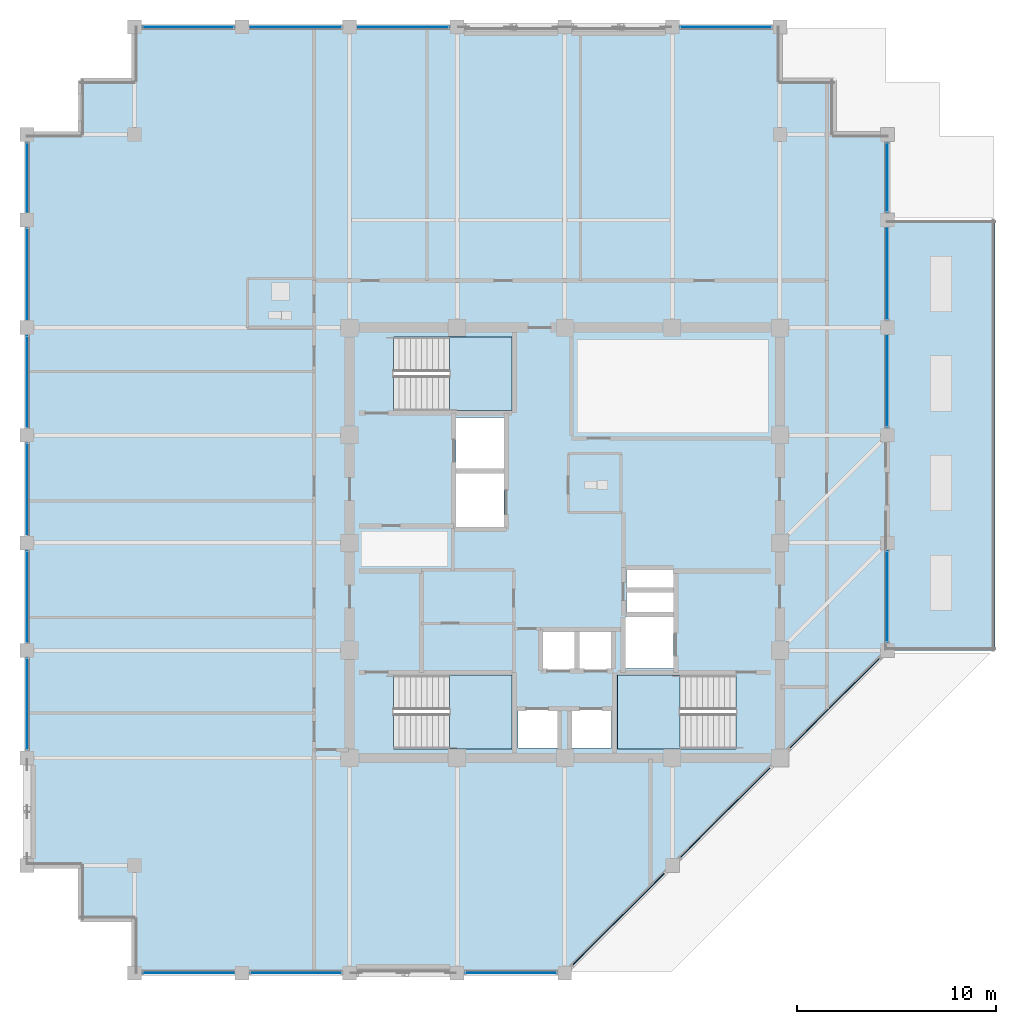
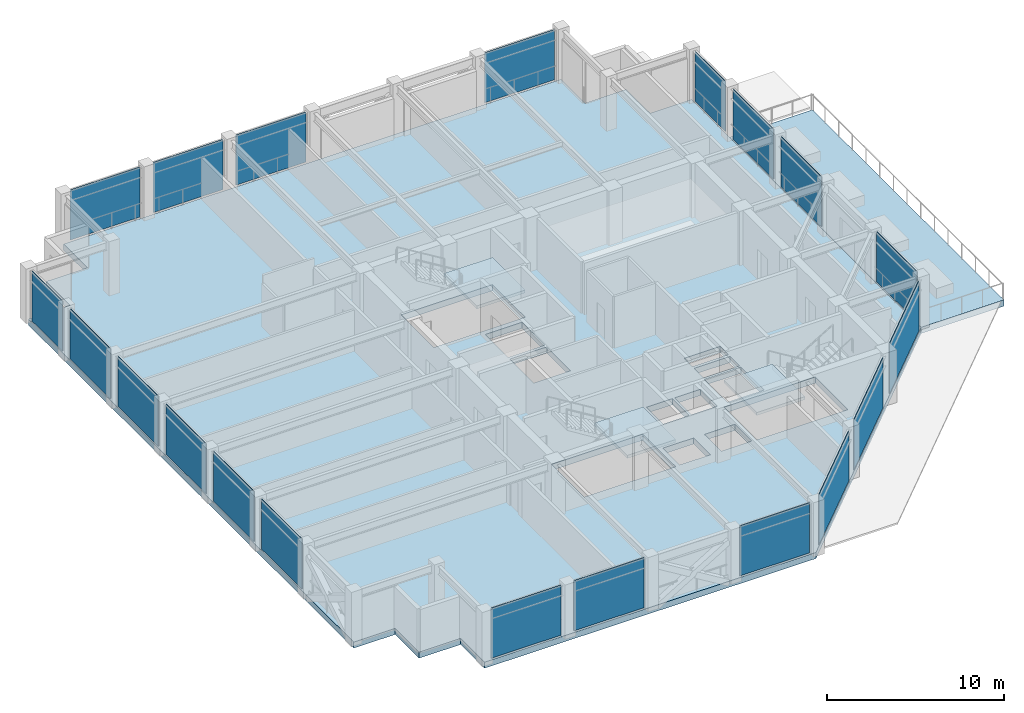
# One storey, part 23 of 34: 20 plates, 5 slabs, 11 elements without a shape of their own.
"""IFC4 building model written with IfcOpenShell, lengths in metres."""

from ifc_helpers import new_model, si_unit, direction, frame, frame_2d, origin, place, context, subcontext, project, spatial, polyline, rectangle, outline, extrude, material, layer, layer_set, type_object, element, aggregate, save


model = new_model("IFC4")

# Units and contexts
model_context = context("Model", 3, precision=1e-05, world=origin(), true_north=direction((0.0, 1.0)))
body_context = subcontext(model_context, "Body", "Model", "MODEL_VIEW")
ifc_project = project(units=[si_unit("LENGTHUNIT", "METRE"), si_unit("AREAUNIT", "SQUARE_METRE"), si_unit("VOLUMEUNIT", "CUBIC_METRE"), si_unit("PLANEANGLEUNIT", "RADIAN"), si_unit("MASSUNIT", "GRAM", prefix="KILO")], contexts=[model_context])

# Site, building, storey
site_placement = place(None, origin())
site = spatial("IfcSite", under=ifc_project, at=site_placement, CompositionType="ELEMENT")
building_placement = place(site_placement, origin())
building = spatial("IfcBuilding", under=site, at=building_placement, Name="Surkhivell Harbour Commons", CompositionType="ELEMENT")
storey_placement = place(building_placement, frame((0.0, 0.0, 258.75)))
storey = spatial("IfcBuildingStorey", under=building, at=storey_placement, Name="L67", CompositionType="ELEMENT", Elevation=258.75)

# Curtain wall, plates
ifc_material_1 = material(Name="Anodised pale-metal aluminium and insulated glazing", Category="aluminium")
ifc_layer_1 = layer(ifc_material_1, 0.175048828125)
ifc_layer_set_1 = layer_set([ifc_layer_1], Name="Anodised pale-metal aluminium and insulated glazing")
curtain_wall_type = type_object("IfcCurtainWallType", Name="CW-SYS-Z4", PredefinedType="NOTDEFINED", material=ifc_layer_set_1)
curtain_wall_1_placement = place(storey_placement, origin())
curtain_wall_1 = element("IfcCurtainWall", 1, at=curtain_wall_1_placement, inside=storey, type_object=curtain_wall_type, Name="L67 Curtain Wall CW-L67-E00S1", PredefinedType="NOTDEFINED")
ifc_material_2 = material(Name="Insulated shadow-box spandrel glazing", Category="glass")
ifc_layer_2 = layer(ifc_material_2, 0.0400390625)
ifc_layer_set_2 = layer_set([ifc_layer_2], Name="Insulated shadow-box spandrel glazing")
plate_type = type_object("IfcPlateType", Name="CWP-SPN-40", PredefinedType="CURTAIN_PANEL", material=ifc_layer_set_2)
plate_1_placement = place(storey_placement, frame((-21.173095703125, -21.60009765625, 0.1298828125), z_axis=(0.0, 0.0, 1.0), x_axis=(1.0, 0.0, 0.0)))
plate_1 = element("IfcPlate", 2, at=plate_1_placement, type_object=plate_type, Name="CW-Z4 panel 1.1", PredefinedType="CURTAIN_PANEL", context=body_context, shape_type="SweptSolid", body=[
    extrude(rectangle(XDim=4.546142578125, YDim=0.0400390625, at=frame_2d((2.27294921875, 0.0))), origin(), (0.0, 0.0, 1.0), 3.440185546875),
])
plate_2_placement = place(storey_placement, frame((-15.77294921875, -21.60009765625, 0.1298828125), z_axis=(0.0, 0.0, 1.0), x_axis=(1.0, 0.0, 0.0)))
plate_2 = element("IfcPlate", 3, at=plate_2_placement, type_object=plate_type, Name="CW-Z4 panel 2.1", PredefinedType="CURTAIN_PANEL", context=body_context, shape_type="SweptSolid", body=[
    extrude(rectangle(XDim=4.5458984375, YDim=0.0400390625, at=frame_2d((2.27294921875, 0.0))), origin(), (0.0, 0.0, 1.0), 3.440185546875),
])
aggregate(curtain_wall_1, [plate_1, plate_2])

# Curtain wall, plate
curtain_wall_2_placement = place(storey_placement, origin())
curtain_wall_2 = element("IfcCurtainWall", 4, at=curtain_wall_2_placement, inside=storey, type_object=curtain_wall_type, Name="L67 Curtain Wall CW-L67-E00S2", PredefinedType="NOTDEFINED")
plate_3_placement = place(storey_placement, frame((-4.972900390625, -21.60009765625, 0.1298828125), z_axis=(0.0, 0.0, 1.0), x_axis=(1.0, 0.0, 0.0)))
plate_3 = element("IfcPlate", 5, at=plate_3_placement, type_object=plate_type, Name="CW-Z4 panel 1.1", PredefinedType="CURTAIN_PANEL", context=body_context, shape_type="SweptSolid", body=[
    extrude(rectangle(XDim=4.5458984375, YDim=0.0400390625, at=frame_2d((2.27294921875, 0.0))), origin(), (0.0, 0.0, 1.0), 3.440185546875),
])
aggregate(curtain_wall_2, [plate_3])

# Curtain wall, plates
curtain_wall_3_placement = place(storey_placement, origin())
curtain_wall_3 = element("IfcCurtainWall", 6, at=curtain_wall_3_placement, inside=storey, type_object=curtain_wall_type, Name="L67 Curtain Wall CW-L67-E01", PredefinedType="NOTDEFINED")
plate_4_placement = place(storey_placement, frame((0.404541015625, -21.1953125, 0.1298828125), z_axis=(0.0, 0.0, 1.0), x_axis=(0.707125583467, 0.707087978406, 0.0)))
plate_4 = element("IfcPlate", 7, at=plate_4_placement, type_object=plate_type, Name="CW-Z4 panel 1.1", PredefinedType="CURTAIN_PANEL", context=body_context, shape_type="SweptSolid", body=[
    extrude(rectangle(XDim=6.4921875, YDim=0.0400390625, at=frame_2d((3.24609375, 0.0))), origin(), (0.0, 0.0, 1.0), 3.440185546875),
])
plate_5_placement = place(storey_placement, frame((5.8046875, -15.79541015625, 0.1298828125), z_axis=(0.0, 0.0, 1.0), x_axis=(0.707106781187, 0.707106781187, 0.0)))
plate_5 = element("IfcPlate", 8, at=plate_5_placement, type_object=plate_type, Name="CW-Z4 panel 2.1", PredefinedType="CURTAIN_PANEL", context=body_context, shape_type="SweptSolid", body=[
    extrude(rectangle(XDim=6.350830078125, YDim=0.0400390625, at=frame_2d((3.17529296875, 0.0))), origin(), (0.0, 0.0, 1.0), 3.440185546875),
])
plate_6_placement = place(storey_placement, frame((11.3046875, -10.29541015625, 0.1298828125), z_axis=(0.0, 0.0, 1.0), x_axis=(0.707106781187, 0.707106781187, 0.0)))
plate_6 = element("IfcPlate", 9, at=plate_6_placement, type_object=plate_type, Name="CW-Z4 panel 3.1", PredefinedType="CURTAIN_PANEL", context=body_context, shape_type="SweptSolid", body=[
    extrude(rectangle(XDim=6.350830078125, YDim=0.0400390625, at=frame_2d((3.17529296875, 0.0))), origin(), (0.0, 0.0, 1.0), 3.440185546875),
])
aggregate(curtain_wall_3, [plate_4, plate_5, plate_6])

# Curtain wall, plate
curtain_wall_4_placement = place(storey_placement, origin())
curtain_wall_4 = element("IfcCurtainWall", 10, at=curtain_wall_4_placement, inside=storey, type_object=curtain_wall_type, Name="L67 Curtain Wall CW-L67-E02A", PredefinedType="NOTDEFINED")
plate_7_placement = place(storey_placement, frame((16.199951171875, -4.972900390625, 0.1298828125), z_axis=(0.0, 0.0, 1.0), x_axis=(0.0, 1.0, 0.0)))
plate_7 = element("IfcPlate", 11, at=plate_7_placement, type_object=plate_type, Name="CW-Z4 panel 1.1", PredefinedType="CURTAIN_PANEL", context=body_context, shape_type="SweptSolid", body=[
    extrude(rectangle(XDim=4.5458984375, YDim=0.0400390625, at=frame_2d((2.27294921875, 0.0))), origin(), (0.0, 0.0, 1.0), 3.440185546875),
])
aggregate(curtain_wall_4, [plate_7])

# Curtain wall, plates
curtain_wall_5_placement = place(storey_placement, origin())
curtain_wall_5 = element("IfcCurtainWall", 12, at=curtain_wall_5_placement, inside=storey, type_object=curtain_wall_type, Name="L67 Curtain Wall CW-L67-E02B", PredefinedType="NOTDEFINED")
plate_8_placement = place(storey_placement, frame((16.199951171875, 5.826904296875, 0.1298828125), z_axis=(0.0, 0.0, 1.0), x_axis=(0.0, 1.0, 0.0)))
plate_8 = element("IfcPlate", 13, at=plate_8_placement, type_object=plate_type, Name="CW-Z4 panel 1.1", PredefinedType="CURTAIN_PANEL", context=body_context, shape_type="SweptSolid", body=[
    extrude(rectangle(XDim=4.546142578125, YDim=0.0400390625, at=frame_2d((2.27294921875, 0.0))), origin(), (0.0, 0.0, 1.0), 3.440185546875),
])
plate_9_placement = place(storey_placement, frame((16.199951171875, 11.22705078125, 0.1298828125), z_axis=(0.0, 0.0, 1.0), x_axis=(0.0, 1.0, 0.0)))
plate_9 = element("IfcPlate", 14, at=plate_9_placement, type_object=plate_type, Name="CW-Z4 panel 2.1", PredefinedType="CURTAIN_PANEL", context=body_context, shape_type="SweptSolid", body=[
    extrude(rectangle(XDim=4.5458984375, YDim=0.0400390625, at=frame_2d((2.27294921875, 0.0))), origin(), (0.0, 0.0, 1.0), 3.440185546875),
])
plate_10_placement = place(storey_placement, frame((16.199951171875, 16.626953125, 0.1298828125), z_axis=(0.0, 0.0, 1.0), x_axis=(0.0, 1.0, 0.0)))
plate_10 = element("IfcPlate", 15, at=plate_10_placement, type_object=plate_type, Name="CW-Z4 panel 3.1", PredefinedType="CURTAIN_PANEL", context=body_context, shape_type="SweptSolid", body=[
    extrude(rectangle(XDim=3.446044921875, YDim=0.0400390625, at=frame_2d((1.72314453125, 0.0))), origin(), (0.0, 0.0, 1.0), 3.440185546875),
])
aggregate(curtain_wall_5, [plate_8, plate_9, plate_10])

# Curtain wall, plate
curtain_wall_6_placement = place(storey_placement, origin())
curtain_wall_6 = element("IfcCurtainWall", 16, at=curtain_wall_6_placement, inside=storey, type_object=curtain_wall_type, Name="L67 Curtain Wall CW-L67-E07S1", PredefinedType="NOTDEFINED")
plate_11_placement = place(storey_placement, frame((10.373046875, 25.89990234375, 0.1298828125), z_axis=(0.0, 0.0, 1.0), x_axis=(-1.0, 0.0, 0.0)))
plate_11 = element("IfcPlate", 17, at=plate_11_placement, type_object=plate_type, Name="CW-Z4 panel 1.1", PredefinedType="CURTAIN_PANEL", context=body_context, shape_type="SweptSolid", body=[
    extrude(rectangle(XDim=4.546142578125, YDim=0.0400390625, at=frame_2d((2.27294921875, 0.0))), origin(), (0.0, 0.0, 1.0), 3.440185546875),
])
aggregate(curtain_wall_6, [plate_11])

# Curtain wall, plates
curtain_wall_7_placement = place(storey_placement, origin())
curtain_wall_7 = element("IfcCurtainWall", 18, at=curtain_wall_7_placement, inside=storey, type_object=curtain_wall_type, Name="L67 Curtain Wall CW-L67-E07S2", PredefinedType="NOTDEFINED")
plate_12_placement = place(storey_placement, frame((-5.826904296875, 25.89990234375, 0.1298828125), z_axis=(0.0, 0.0, 1.0), x_axis=(-1.0, 0.0, 0.0)))
plate_12 = element("IfcPlate", 19, at=plate_12_placement, type_object=plate_type, Name="CW-Z4 panel 1.1", PredefinedType="CURTAIN_PANEL", context=body_context, shape_type="SweptSolid", body=[
    extrude(rectangle(XDim=4.546142578125, YDim=0.0400390625, at=frame_2d((2.27294921875, 0.0))), origin(), (0.0, 0.0, 1.0), 3.440185546875),
])
plate_13_placement = place(storey_placement, frame((-11.22705078125, 25.89990234375, 0.1298828125), z_axis=(0.0, 0.0, 1.0), x_axis=(-1.0, 0.0, 0.0)))
plate_13 = element("IfcPlate", 20, at=plate_13_placement, type_object=plate_type, Name="CW-Z4 panel 2.1", PredefinedType="CURTAIN_PANEL", context=body_context, shape_type="SweptSolid", body=[
    extrude(rectangle(XDim=4.5458984375, YDim=0.0400390625, at=frame_2d((2.27294921875, 0.0))), origin(), (0.0, 0.0, 1.0), 3.440185546875),
])
plate_14_placement = place(storey_placement, frame((-16.626953125, 25.89990234375, 0.1298828125), z_axis=(0.0, 0.0, 1.0), x_axis=(-1.0, 0.0, 0.0)))
plate_14 = element("IfcPlate", 21, at=plate_14_placement, type_object=plate_type, Name="CW-Z4 panel 3.1", PredefinedType="CURTAIN_PANEL", context=body_context, shape_type="SweptSolid", body=[
    extrude(rectangle(XDim=4.546142578125, YDim=0.0400390625, at=frame_2d((2.27294921875, 0.0))), origin(), (0.0, 0.0, 1.0), 3.440185546875),
])
aggregate(curtain_wall_7, [plate_12, plate_13, plate_14])

curtain_wall_8_placement = place(storey_placement, origin())
curtain_wall_8 = element("IfcCurtainWall", 22, at=curtain_wall_8_placement, inside=storey, type_object=curtain_wall_type, Name="L67 Curtain Wall CW-L67-E12S1", PredefinedType="NOTDEFINED")
plate_15_placement = place(storey_placement, frame((-27.0, 20.072998046875, 0.1298828125), z_axis=(0.0, 0.0, 1.0), x_axis=(0.0, -1.0, 0.0)))
plate_15 = element("IfcPlate", 23, at=plate_15_placement, type_object=plate_type, Name="CW-Z4 panel 1.1", PredefinedType="CURTAIN_PANEL", context=body_context, shape_type="SweptSolid", body=[
    extrude(rectangle(XDim=3.446044921875, YDim=0.0400390625, at=frame_2d((1.72314453125, 0.0))), origin(), (0.0, 0.0, 1.0), 3.440185546875),
])
plate_16_placement = place(storey_placement, frame((-27.0, 15.77294921875, 0.1298828125), z_axis=(0.0, 0.0, 1.0), x_axis=(0.0, -1.0, 0.0)))
plate_16 = element("IfcPlate", 24, at=plate_16_placement, type_object=plate_type, Name="CW-Z4 panel 2.1", PredefinedType="CURTAIN_PANEL", context=body_context, shape_type="SweptSolid", body=[
    extrude(rectangle(XDim=4.5458984375, YDim=0.0400390625, at=frame_2d((2.27294921875, 0.0))), origin(), (0.0, 0.0, 1.0), 3.440185546875),
])
plate_17_placement = place(storey_placement, frame((-27.0, 10.373046875, 0.1298828125), z_axis=(0.0, 0.0, 1.0), x_axis=(0.0, -1.0, 0.0)))
plate_17 = element("IfcPlate", 25, at=plate_17_placement, type_object=plate_type, Name="CW-Z4 panel 3.1", PredefinedType="CURTAIN_PANEL", context=body_context, shape_type="SweptSolid", body=[
    extrude(rectangle(XDim=4.546142578125, YDim=0.0400390625, at=frame_2d((2.27294921875, 0.0))), origin(), (0.0, 0.0, 1.0), 3.440185546875),
])
plate_18_placement = place(storey_placement, frame((-27.0, 4.972900390625, 0.1298828125), z_axis=(0.0, 0.0, 1.0), x_axis=(0.0, -1.0, 0.0)))
plate_18 = element("IfcPlate", 26, at=plate_18_placement, type_object=plate_type, Name="CW-Z4 panel 4.1", PredefinedType="CURTAIN_PANEL", context=body_context, shape_type="SweptSolid", body=[
    extrude(rectangle(XDim=4.5458984375, YDim=0.0400390625, at=frame_2d((2.27294921875, 0.0))), origin(), (0.0, 0.0, 1.0), 3.440185546875),
])
plate_19_placement = place(storey_placement, frame((-27.0, -0.427001953125, 0.1298828125), z_axis=(0.0, 0.0, 1.0), x_axis=(0.0, -1.0, 0.0)))
plate_19 = element("IfcPlate", 27, at=plate_19_placement, type_object=plate_type, Name="CW-Z4 panel 5.1", PredefinedType="CURTAIN_PANEL", context=body_context, shape_type="SweptSolid", body=[
    extrude(rectangle(XDim=4.5458984375, YDim=0.0400390625, at=frame_2d((2.27294921875, 0.0))), origin(), (0.0, 0.0, 1.0), 3.440185546875),
])
plate_20_placement = place(storey_placement, frame((-27.0, -5.826904296875, 0.1298828125), z_axis=(0.0, 0.0, 1.0), x_axis=(0.0, -1.0, 0.0)))
plate_20 = element("IfcPlate", 28, at=plate_20_placement, type_object=plate_type, Name="CW-Z4 panel 6.1", PredefinedType="CURTAIN_PANEL", context=body_context, shape_type="SweptSolid", body=[
    extrude(rectangle(XDim=4.546142578125, YDim=0.0400390625, at=frame_2d((2.27294921875, 0.0))), origin(), (0.0, 0.0, 1.0), 3.440185546875),
])
aggregate(curtain_wall_8, [plate_15, plate_16, plate_17, plate_18, plate_19, plate_20])

# Stair, slab
ifc_material_3 = material(Name="Precast concrete C45/55", Category="concrete")
stair_type = type_object("IfcStairType", Name="STR-DL-375", PredefinedType="HALF_TURN_STAIR", material=ifc_material_3)
stair_1_placement = place(storey_placement, origin())
stair_1 = element("IfcStair", 29, at=stair_1_placement, inside=storey, type_object=stair_type, Name="L67 Core Exit Stair ST1", PredefinedType="HALF_TURN_STAIR")
ifc_material_4 = material(Name="Reinforced concrete C45/55", Category="concrete")
ifc_layer_3 = layer(ifc_material_4, 0.199951171875)
ifc_layer_set_3 = layer_set([ifc_layer_3], Name="Reinforced concrete C45/55")
slab_type_1 = type_object("IfcSlabType", Name="SLB-ST-LND200", PredefinedType="LANDING", material=ifc_layer_set_3)
slab_1_placement = place(storey_placement, frame((0.0, 0.0, 1.675048828125)))
slab_1 = element("IfcSlab", 30, at=slab_1_placement, type_object=slab_type_1, Name="ST1 landing 1", PredefinedType="LANDING", context=body_context, shape_type="SweptSolid", body=[
    extrude(outline(polyline([(-5.7900390625, 6.639892578125), (-2.639892578125, 6.639892578125), (-2.639892578125, 10.340087890625), (-5.7900390625, 10.340087890625), (-5.7900390625, 6.639892578125)])), origin(), (0.0, 0.0, 1.0), 0.199951171875),
])
aggregate(stair_1, [slab_1])

stair_2_placement = place(storey_placement, origin())
stair_2 = element("IfcStair", 31, at=stair_2_placement, inside=storey, type_object=stair_type, Name="L67 Core Exit Stair ST2", PredefinedType="HALF_TURN_STAIR")
slab_2_placement = place(storey_placement, frame((0.0, 0.0, 1.675048828125)))
slab_2 = element("IfcSlab", 32, at=slab_2_placement, type_object=slab_type_1, Name="ST2 landing 1", PredefinedType="LANDING", context=body_context, shape_type="SweptSolid", body=[
    extrude(outline(polyline([(5.7900390625, -6.639892578125), (2.639892578125, -6.639892578125), (2.639892578125, -10.340087890625), (5.7900390625, -10.340087890625), (5.7900390625, -6.639892578125)])), origin(), (0.0, 0.0, 1.0), 0.199951171875),
])
aggregate(stair_2, [slab_2])

stair_3_placement = place(storey_placement, origin())
stair_3 = element("IfcStair", 33, at=stair_3_placement, inside=storey, type_object=stair_type, Name="L67 Core Exit Stair ST3", PredefinedType="HALF_TURN_STAIR")
slab_3_placement = place(storey_placement, frame((0.0, 0.0, 1.675048828125)))
slab_3 = element("IfcSlab", 34, at=slab_3_placement, type_object=slab_type_1, Name="ST3 landing 1", PredefinedType="LANDING", context=body_context, shape_type="SweptSolid", body=[
    extrude(outline(polyline([(-5.7900390625, -10.340087890625), (-2.639892578125, -10.340087890625), (-2.639892578125, -6.639892578125), (-5.7900390625, -6.639892578125), (-5.7900390625, -10.340087890625)])), origin(), (0.0, 0.0, 1.0), 0.199951171875),
])
aggregate(stair_3, [slab_3])

# Slabs
ifc_material_5 = material(Name="Concrete C50/60", Category="concrete")
ifc_layer_4 = layer(ifc_material_5, 0.419921875)
ifc_layer_set_4 = layer_set([ifc_layer_4], Name="Concrete C50/60")
slab_type_2 = type_object("IfcSlabType", Name="SLB-TERR-420", PredefinedType="FLOOR", material=ifc_layer_set_4)
slab_4_placement = place(storey_placement, frame((0.0, 0.0, -0.419921875)))
element("IfcSlab", 35, at=slab_4_placement, inside=storey, type_object=slab_type_2, Name="L67 SG-3 Harbour Sky-Garden Terrace", PredefinedType="FLOOR", context=body_context, shape_type="SweptSolid", body=[
    extrude(outline(polyline([(16.199951171875, -5.39990234375), (21.60009765625, -5.39990234375), (21.60009765625, 16.199951171875), (16.199951171875, 16.199951171875), (16.199951171875, -5.39990234375)])), origin(), (0.0, 0.0, 1.0), 0.419921875),
])
ifc_material_6 = material(Name="Concrete C45/55", Category="concrete")
ifc_layer_5 = layer(ifc_material_6, 0.179931640625)
ifc_layer_set_5 = layer_set([ifc_layer_5], Name="Concrete C45/55")
slab_type_3 = type_object("IfcSlabType", Name="SLB-TYP-180", PredefinedType="FLOOR", material=ifc_layer_set_5)
slab_5_placement = place(storey_placement, frame((0.0, 0.0, -0.419921875)))
element("IfcSlab", 36, at=slab_5_placement, inside=storey, type_object=slab_type_3, Name="L67 Structural Floor Slab", PredefinedType="FLOOR", context=body_context, shape_type="SweptSolid", body=[
    extrude(outline(polyline([(-21.60009765625, -21.60009765625), (0.0, -21.60009765625), (16.199951171875, -5.39990234375), (16.199951171875, 20.5), (13.5, 20.5), (13.5, 23.199951171875), (10.800048828125, 23.199951171875), (10.800048828125, 25.89990234375), (-21.60009765625, 25.89990234375), (-21.60009765625, 23.199951171875), (-24.300048828125, 23.199951171875), (-24.300048828125, 20.5), (-27.0, 20.5), (-27.0, -16.199951171875), (-24.300048828125, -16.199951171875), (-24.300048828125, -18.89990234375), (-21.60009765625, -18.89990234375), (-21.60009765625, -21.60009765625)]), holes=[polyline([(-8.590087890625, 6.639892578125), (-2.639892578125, 6.639892578125), (-2.639892578125, 10.340087890625), (-8.590087890625, 10.340087890625), (-8.590087890625, 6.639892578125)]), polyline([(8.590087890625, -6.639892578125), (2.639892578125, -6.639892578125), (2.639892578125, -10.340087890625), (8.590087890625, -10.340087890625), (8.590087890625, -6.639892578125)]), polyline([(-8.590087890625, -10.340087890625), (-2.639892578125, -10.340087890625), (-2.639892578125, -6.639892578125), (-8.590087890625, -6.639892578125), (-8.590087890625, -10.340087890625)]), polyline([(-1.14990234375, -6.35009765625), (0.550048828125, -6.35009765625), (0.550048828125, -4.449951171875), (-1.14990234375, -4.449951171875), (-1.14990234375, -6.35009765625)]), polyline([(0.679931640625, -6.35009765625), (2.3798828125, -6.35009765625), (2.3798828125, -4.449951171875), (0.679931640625, -4.449951171875), (0.679931640625, -6.35009765625)]), polyline([(-2.35009765625, -10.300048828125), (-0.35009765625, -10.300048828125), (-0.35009765625, -8.39990234375), (-2.35009765625, -8.39990234375), (-2.35009765625, -10.300048828125)]), polyline([(0.35009765625, -10.300048828125), (2.35009765625, -10.300048828125), (2.35009765625, -8.39990234375), (0.35009765625, -8.39990234375), (0.35009765625, -10.300048828125)]), polyline([(-5.449951171875, 3.699951171875), (-3.050048828125, 3.699951171875), (-3.050048828125, 6.300048828125), (-5.449951171875, 6.300048828125), (-5.449951171875, 3.699951171875)]), polyline([(3.050048828125, -6.300048828125), (5.449951171875, -6.300048828125), (5.449951171875, -3.699951171875), (3.050048828125, -3.699951171875), (3.050048828125, -6.300048828125)]), polyline([(-5.449951171875, 0.800048828125), (-3.050048828125, 0.800048828125), (-3.050048828125, 3.5), (-5.449951171875, 3.5), (-5.449951171875, 0.800048828125)]), polyline([(3.10009765625, -3.550048828125), (5.449951171875, -3.550048828125), (5.449951171875, -2.47998046875), (3.10009765625, -2.47998046875), (3.10009765625, -3.550048828125)]), polyline([(3.10009765625, -2.280029296875), (5.449951171875, -2.280029296875), (5.449951171875, -1.35009765625), (3.10009765625, -1.35009765625), (3.10009765625, -2.280029296875)])]), origin(), (0.0, 0.0, 1.0), 0.419921875),
])

save(model, "model.ifc")
